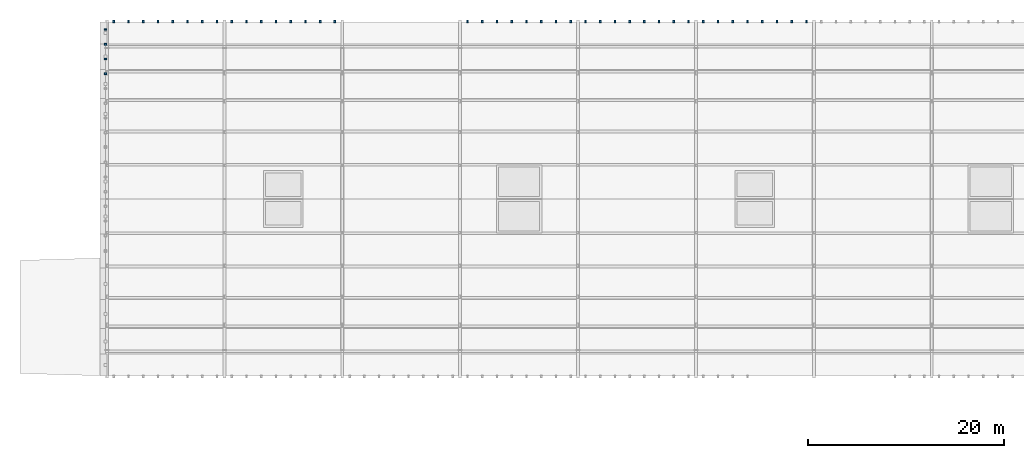
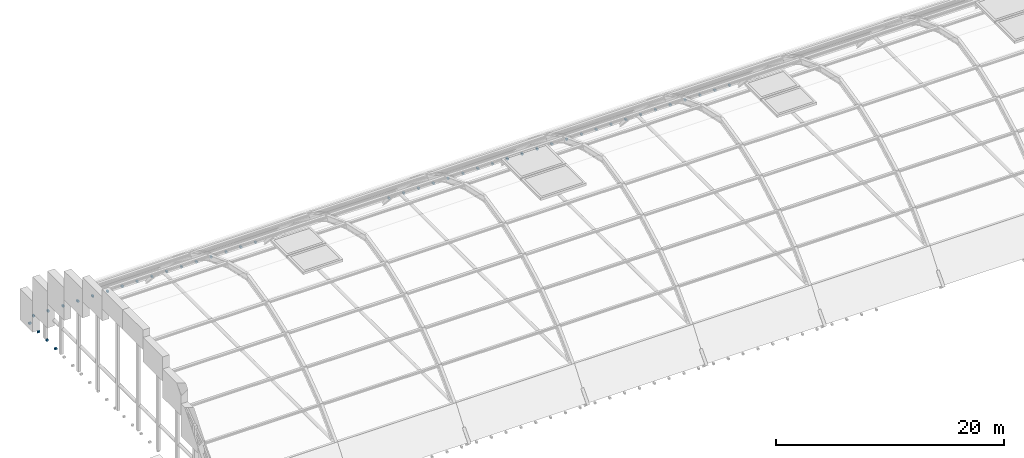
# One storey, part 23 of 35: 44 discrete accessories.
"""IFC4 building model written with IfcOpenShell, lengths in metres."""

from ifc_helpers import new_model, si_unit, direction, frame, origin, origin_2d, place, context, subcontext, project, spatial, rectangle, extrude, material, type_object, element, save


model = new_model("IFC4")

# Units and contexts
model_context = context("Model", 3, precision=1e-05, world=origin(), true_north=direction((0.0, 1.0)))
body_context = subcontext(model_context, "Body", "Model", "MODEL_VIEW")
ifc_project = project(units=[si_unit("LENGTHUNIT", "METRE"), si_unit("AREAUNIT", "SQUARE_METRE"), si_unit("VOLUMEUNIT", "CUBIC_METRE"), si_unit("PLANEANGLEUNIT", "RADIAN"), si_unit("MASSUNIT", "GRAM", prefix="KILO")], contexts=[model_context])

# Site, building, storey
site_placement = place(None, origin())
site = spatial("IfcSite", under=ifc_project, at=site_placement, CompositionType="ELEMENT")
building_placement = place(site_placement, origin())
building = spatial("IfcBuilding", under=site, at=building_placement, Name="Zlatogorsky Bluff Art Gallery", CompositionType="ELEMENT")
storey_placement = place(building_placement, frame((0.0, 0.0, 23.39990234375)))
storey = spatial("IfcBuildingStorey", under=building, at=storey_placement, Name="L04", CompositionType="ELEMENT", Elevation=23.39990234375)

# Discrete accessories
ifc_material = material(Name="Steel S355", Category="steel")
discrete_accessory_type = type_object("IfcDiscreteAccessoryType", Name="Stainless Facade Fin Bracket BRK-01", PredefinedType="BRACKET", material=ifc_material)
for number, where, z_axis, x_axis, name in (
    (1, (0.75, 120.080078125, -0.22998046875), (0.0, 0.0, 1.0), (1.0, 0.0, 0.0), "Fin slab-edge bracket N.072.L04"),
    (2, (2.25, 120.080078125, -0.22998046875), (0.0, 0.0, 1.0), (1.0, 0.0, 0.0), "Fin slab-edge bracket N.073.L04"),
    (3, (3.75, 120.080078125, -0.22998046875), (0.0, 0.0, 1.0), (1.0, 0.0, 0.0), "Fin slab-edge bracket N.074.L04"),
    (4, (5.25, 120.080078125, -0.22998046875), (0.0, 0.0, 1.0), (1.0, 0.0, 0.0), "Fin slab-edge bracket N.075.L04"),
    (5, (6.75, 120.080078125, -0.22998046875), (0.0, 0.0, 1.0), (1.0, 0.0, 0.0), "Fin slab-edge bracket N.076.L04"),
    (6, (8.25, 120.080078125, -0.22998046875), (0.0, 0.0, 1.0), (1.0, 0.0, 0.0), "Fin slab-edge bracket N.077.L04"),
    (7, (9.75, 120.080078125, -0.22998046875), (0.0, 0.0, 1.0), (1.0, 0.0, 0.0), "Fin slab-edge bracket N.078.L04"),
    (8, (11.25, 120.080078125, -0.22998046875), (0.0, 0.0, 1.0), (1.0, 0.0, 0.0), "Fin slab-edge bracket N.079.L04"),
    (9, (12.75, 120.080078125, -0.22998046875), (0.0, 0.0, 1.0), (1.0, 0.0, 0.0), "Fin slab-edge bracket N.080.L04"),
    (10, (14.25, 120.080078125, -0.22998046875), (0.0, 0.0, 1.0), (1.0, 0.0, 0.0), "Fin slab-edge bracket N.081.L04"),
    (11, (15.75, 120.080078125, -0.22998046875), (0.0, 0.0, 1.0), (1.0, 0.0, 0.0), "Fin slab-edge bracket N.082.L04"),
    (12, (17.25, 120.080078125, -0.22998046875), (0.0, 0.0, 1.0), (1.0, 0.0, 0.0), "Fin slab-edge bracket N.083.L04"),
    (13, (18.75, 120.080078125, -0.22998046875), (0.0, 0.0, 1.0), (1.0, 0.0, 0.0), "Fin slab-edge bracket N.084.L04"),
    (14, (20.25, 120.080078125, -0.22998046875), (0.0, 0.0, 1.0), (1.0, 0.0, 0.0), "Fin slab-edge bracket N.085.L04"),
    (15, (21.75, 120.080078125, -0.22998046875), (0.0, 0.0, 1.0), (1.0, 0.0, 0.0), "Fin slab-edge bracket N.086.L04"),
    (16, (23.25, 120.080078125, -0.22998046875), (0.0, 0.0, 1.0), (1.0, 0.0, 0.0), "Fin slab-edge bracket N.087.L04"),
    (17, (36.75, 120.080078125, -0.22998046875), (0.0, 0.0, 1.0), (1.0, 0.0, 0.0), "Fin slab-edge bracket N.088.L04"),
    (18, (38.25, 120.080078125, -0.22998046875), (0.0, 0.0, 1.0), (1.0, 0.0, 0.0), "Fin slab-edge bracket N.089.L04"),
    (19, (39.75, 120.080078125, -0.22998046875), (0.0, 0.0, 1.0), (1.0, 0.0, 0.0), "Fin slab-edge bracket N.090.L04"),
    (20, (41.25, 120.080078125, -0.22998046875), (0.0, 0.0, 1.0), (1.0, 0.0, 0.0), "Fin slab-edge bracket N.091.L04"),
    (21, (42.75, 120.080078125, -0.22998046875), (0.0, 0.0, 1.0), (1.0, 0.0, 0.0), "Fin slab-edge bracket N.092.L04"),
    (22, (44.25, 120.080078125, -0.22998046875), (0.0, 0.0, 1.0), (1.0, 0.0, 0.0), "Fin slab-edge bracket N.093.L04"),
    (23, (45.75, 120.080078125, -0.22998046875), (0.0, 0.0, 1.0), (1.0, 0.0, 0.0), "Fin slab-edge bracket N.094.L04"),
    (24, (47.25, 120.080078125, -0.22998046875), (0.0, 0.0, 1.0), (1.0, 0.0, 0.0), "Fin slab-edge bracket N.095.L04"),
    (25, (48.75, 120.080078125, -0.22998046875), (0.0, 0.0, 1.0), (1.0, 0.0, 0.0), "Fin slab-edge bracket N.096.L04"),
    (26, (50.25, 120.080078125, -0.22998046875), (0.0, 0.0, 1.0), (1.0, 0.0, 0.0), "Fin slab-edge bracket N.097.L04"),
    (27, (51.75, 120.080078125, -0.22998046875), (0.0, 0.0, 1.0), (1.0, 0.0, 0.0), "Fin slab-edge bracket N.098.L04"),
    (28, (53.25, 120.080078125, -0.22998046875), (0.0, 0.0, 1.0), (1.0, 0.0, 0.0), "Fin slab-edge bracket N.099.L04"),
    (29, (54.75, 120.080078125, -0.22998046875), (0.0, 0.0, 1.0), (1.0, 0.0, 0.0), "Fin slab-edge bracket N.100.L04"),
    (30, (56.25, 120.080078125, -0.22998046875), (0.0, 0.0, 1.0), (1.0, 0.0, 0.0), "Fin slab-edge bracket N.101.L04"),
    (31, (57.75, 120.080078125, -0.22998046875), (0.0, 0.0, 1.0), (1.0, 0.0, 0.0), "Fin slab-edge bracket N.102.L04"),
    (32, (59.25, 120.080078125, -0.22998046875), (0.0, 0.0, 1.0), (1.0, 0.0, 0.0), "Fin slab-edge bracket N.103.L04"),
    (33, (60.75, 120.080078125, -0.22998046875), (0.0, 0.0, 1.0), (1.0, 0.0, 0.0), "Fin slab-edge bracket N.104.L04"),
    (34, (62.25, 120.080078125, -0.22998046875), (0.0, 0.0, 1.0), (1.0, 0.0, 0.0), "Fin slab-edge bracket N.105.L04"),
    (35, (63.75, 120.080078125, -0.22998046875), (0.0, 0.0, 1.0), (1.0, 0.0, 0.0), "Fin slab-edge bracket N.106.L04"),
    (36, (65.25, 120.080078125, -0.22998046875), (0.0, 0.0, 1.0), (1.0, 0.0, 0.0), "Fin slab-edge bracket N.107.L04"),
    (37, (66.75, 120.080078125, -0.22998046875), (0.0, 0.0, 1.0), (1.0, 0.0, 0.0), "Fin slab-edge bracket N.108.L04"),
    (38, (68.25, 120.080078125, -0.22998046875), (0.0, 0.0, 1.0), (1.0, 0.0, 0.0), "Fin slab-edge bracket N.109.L04"),
    (39, (69.75, 120.080078125, -0.22998046875), (0.0, 0.0, 1.0), (1.0, 0.0, 0.0), "Fin slab-edge bracket N.110.L04"),
    (40, (71.25, 120.080078125, -0.22998046875), (0.0, 0.0, 1.0), (1.0, 0.0, 0.0), "Fin slab-edge bracket N.111.L04"),
):
    element("IfcDiscreteAccessory", number, at=place(storey_placement, frame(where, z_axis=z_axis, x_axis=x_axis)), inside=storey, type_object=discrete_accessory_type, Name=name, PredefinedType="BRACKET", context=body_context, shape_type="SweptSolid", body=[
        extrude(rectangle(XDim=0.179931640625, YDim=0.239990234375, at=origin_2d()), origin(), (0.0, 0.0, 1.0), 0.179931640625),
    ])
for number, where, z_axis, x_axis, name in (
    (41, (-0.080078125, 114.75, -0.22998046875), (0.0, 0.0, 1.0), (1.0, 0.0, 0.0), "Fin slab-edge bracket W.156.L04"),
    (42, (-0.080078125, 116.25, -0.22998046875), (0.0, 0.0, 1.0), (1.0, 0.0, 0.0), "Fin slab-edge bracket W.157.L04"),
    (43, (-0.080078125, 117.75, -0.22998046875), (0.0, 0.0, 1.0), (1.0, 0.0, 0.0), "Fin slab-edge bracket W.158.L04"),
    (44, (-0.080078125, 119.25, -0.22998046875), (0.0, 0.0, 1.0), (1.0, 0.0, 0.0), "Fin slab-edge bracket W.159.L04"),
):
    element("IfcDiscreteAccessory", number, at=place(storey_placement, frame(where, z_axis=z_axis, x_axis=x_axis)), inside=storey, type_object=discrete_accessory_type, Name=name, PredefinedType="BRACKET", context=body_context, shape_type="SweptSolid", body=[
        extrude(rectangle(XDim=0.239990234375, YDim=0.179931640625, at=origin_2d()), origin(), (0.0, 0.0, 1.0), 0.179931640625),
    ])

save(model, "model.ifc")
